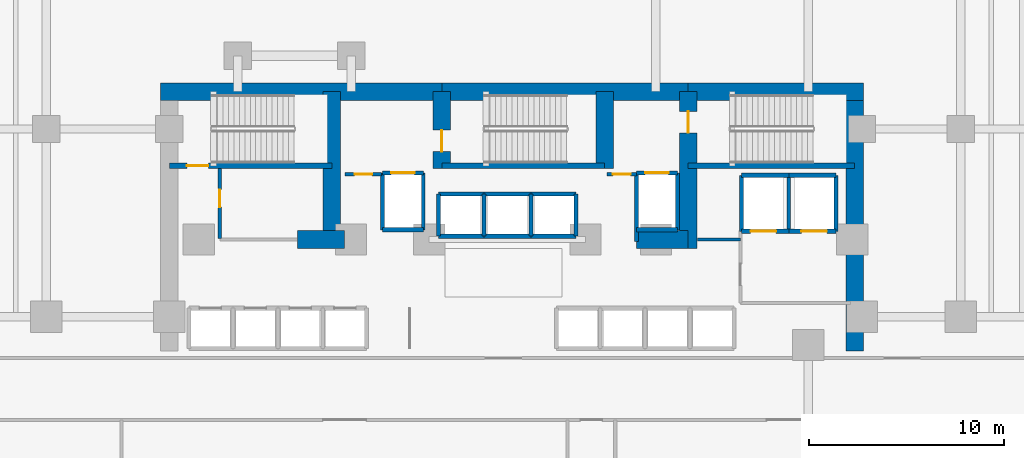
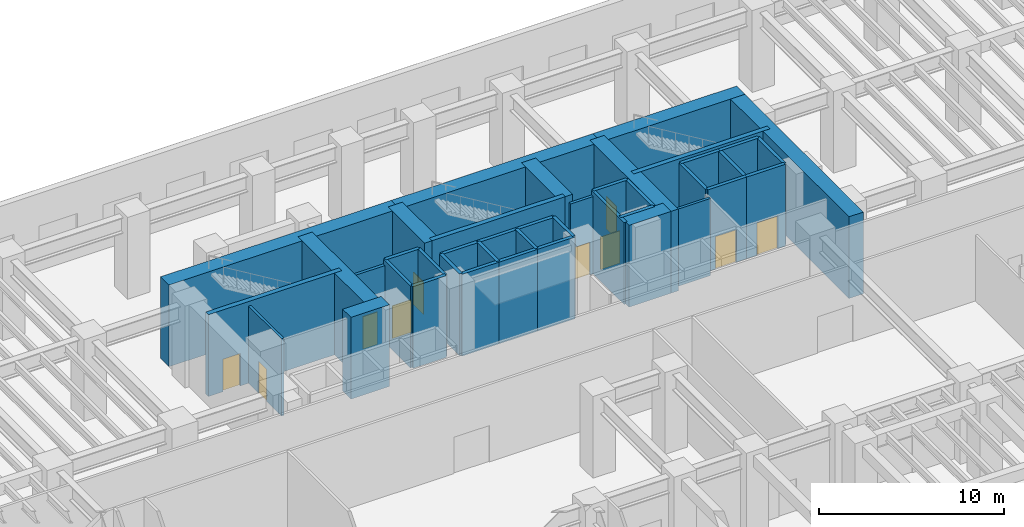
# One storey, part 14 of 21: 42 walls, 10 doors, 10 openings.
"""IFC4 building model written with IfcOpenShell, lengths in metres."""

from ifc_helpers import new_model, si_unit, direction, frame, frame_2d, origin, place, context, subcontext, project, spatial, rectangle, extrude, material, layer, layer_set, type_object, element, fill, save


model = new_model("IFC4")

# Units and contexts
model_context = context("Model", 3, precision=1e-05, world=origin(), true_north=direction((0.0, 1.0)))
body_context = subcontext(model_context, "Body", "Model", "MODEL_VIEW")
ifc_project = project(units=[si_unit("LENGTHUNIT", "METRE"), si_unit("AREAUNIT", "SQUARE_METRE"), si_unit("VOLUMEUNIT", "CUBIC_METRE"), si_unit("PLANEANGLEUNIT", "RADIAN"), si_unit("MASSUNIT", "GRAM", prefix="KILO")], contexts=[model_context])

# Site, building, storey
site_placement = place(None, origin())
site = spatial("IfcSite", under=ifc_project, at=site_placement, CompositionType="ELEMENT")
building_placement = place(site_placement, origin())
building = spatial("IfcBuilding", under=site, at=building_placement, Name="Kestravale Grand Hotel", CompositionType="ELEMENT")
storey_placement = place(building_placement, frame((0.0, 0.0, 10.39990234375)))
storey = spatial("IfcBuildingStorey", under=building, at=storey_placement, Name="L02", CompositionType="ELEMENT", Elevation=10.39990234375)

# Walls
ifc_material_1 = material(Name="Concrete f'c 70 MPa", Category="concrete")
ifc_layer_1 = layer(ifc_material_1, 0.89990234375)
ifc_layer_set_1 = layer_set([ifc_layer_1], Name="EW-CORE-900")
wall_type_1 = type_object("IfcWallType", Name="EW-CORE-900", PredefinedType="SHEAR", material=ifc_layer_set_1)
wall_1_placement = place(storey_placement, frame((21.449951171875, 40.320068359375, 0.0), z_axis=(0.0, 0.0, 1.0), x_axis=(1.0, 0.0, 0.0)))
element("IfcWall", 1, at=wall_1_placement, inside=storey, type_object=wall_type_1, Name="L02 core shear wall N1", PredefinedType="SHEAR", context=body_context, shape_type="SweptSolid", body=[
    extrude(rectangle(XDim=14.400146484375, YDim=0.89990234375, at=frame_2d((7.2001953125, 0.0))), origin(), (0.0, 0.0, 1.0), 5.400146484375),
])
wall_2_placement = place(storey_placement, frame((35.85009765625, 40.320068359375, 0.0), z_axis=(0.0, 0.0, 1.0), x_axis=(1.0, 0.0, 0.0)))
element("IfcWall", 2, at=wall_2_placement, inside=storey, type_object=wall_type_1, Name="L02 core shear wall N2", PredefinedType="SHEAR", context=body_context, shape_type="SweptSolid", body=[
    extrude(rectangle(XDim=12.599853515625, YDim=0.89990234375, at=frame_2d((6.2998046875, 0.0))), origin(), (0.0, 0.0, 1.0), 5.400146484375),
])
wall_3_placement = place(storey_placement, frame((48.449951171875, 40.320068359375, 0.0), z_axis=(0.0, 0.0, 1.0), x_axis=(1.0, 0.0, 0.0)))
element("IfcWall", 3, at=wall_3_placement, inside=storey, type_object=wall_type_1, Name="L02 core shear wall N3", PredefinedType="SHEAR", context=body_context, shape_type="SweptSolid", body=[
    extrude(rectangle(XDim=8.969970703125, YDim=0.89990234375, at=frame_2d((4.48486328125, 0.0))), origin(), (0.0, 0.0, 1.0), 5.400146484375),
])
wall_4_placement = place(storey_placement, frame((56.969970703125, 27.050048828125, 0.0), z_axis=(0.0, 0.0, 1.0), x_axis=(0.0, 1.0, 0.0)))
element("IfcWall", 4, at=wall_4_placement, inside=storey, type_object=wall_type_1, Name="L02 core shear wall E1", PredefinedType="SHEAR", context=body_context, shape_type="SweptSolid", body=[
    extrude(rectangle(XDim=13.719970703125, YDim=0.89990234375, at=frame_2d((6.85986328125, 0.0))), origin(), (0.0, 0.0, 1.0), 5.400146484375),
])
wall_5_placement = place(storey_placement, frame((28.449951171875, 32.75, 0.0), z_axis=(0.0, 0.0, 1.0), x_axis=(1.0, 0.0, 0.0)))
element("IfcWall", 5, at=wall_5_placement, inside=storey, type_object=wall_type_1, Name="L02 core shear wall S1", PredefinedType="SHEAR", context=body_context, shape_type="SweptSolid", body=[
    extrude(rectangle(XDim=2.400146484375, YDim=0.89990234375, at=frame_2d((1.2001953125, 0.0))), origin(), (0.0, 0.0, 1.0), 5.400146484375),
])
wall_6_placement = place(storey_placement, frame((45.81005859375, 32.75, 0.0), z_axis=(0.0, 0.0, 1.0), x_axis=(1.0, 0.0, 0.0)))
element("IfcWall", 6, at=wall_6_placement, inside=storey, type_object=wall_type_1, Name="L02 core shear wall S2", PredefinedType="SHEAR", context=body_context, shape_type="SweptSolid", body=[
    extrude(rectangle(XDim=2.639892578125, YDim=0.89990234375, at=frame_2d((1.31982421875, 0.0))), origin(), (0.0, 0.0, 1.0), 5.400146484375),
])
wall_7_placement = place(storey_placement, frame((30.219970703125, 33.199951171875, 0.0), z_axis=(0.0, 0.0, 1.0), x_axis=(0.0, 1.0, 0.0)))
element("IfcWall", 7, at=wall_7_placement, inside=storey, type_object=wall_type_1, Name="L02 core shear wall X1", PredefinedType="SHEAR", context=body_context, shape_type="SweptSolid", body=[
    extrude(rectangle(XDim=7.1201171875, YDim=0.89990234375, at=frame_2d((3.56005859375, 0.0))), origin(), (0.0, 0.0, 1.0), 5.400146484375),
])

# Wall, opening, door
wall_8_placement = place(storey_placement, frame((35.85009765625, 36.3701171875, 0.0), z_axis=(0.0, 0.0, 1.0), x_axis=(0.0, 1.0, 0.0)))
wall_8 = element("IfcWall", 8, at=wall_8_placement, inside=storey, type_object=wall_type_1, Name="L02 core shear wall X2", PredefinedType="SHEAR", context=body_context, shape_type="SweptSolid", body=[
    extrude(rectangle(XDim=3.949951171875, YDim=0.89990234375, at=frame_2d((1.97509765625, 0.0))), origin(), (0.0, 0.0, 1.0), 5.400146484375),
])
opening_1_placement = place(wall_8_placement, frame((0.8798828125, 0.0, 0.0)))
opening_1 = element("IfcOpeningElement", 9, at=opening_1_placement, cuts=wall_8, Name="Opening D-ST-1100", PredefinedType="OPENING", context=body_context, shape_type="SweptSolid", body=[
    extrude(rectangle(XDim=1.10009765625, YDim=2.14990234375, at=frame_2d((0.550048828125, 1.074951171875))), frame((0.0, 0.4599609375, 0.0), z_axis=(0.0, -1.0, 0.0), x_axis=(1.0, 0.0, 0.0)), (0.0, 0.0, 1.0), 0.919921875),
])
ifc_material_2 = material(Name="Galvanised 90-minute fire-rated steel stair door", Category="steel")
door_type_1 = type_object("IfcDoorType", Name="D-ST-1100", OperationType="NOTDEFINED", PredefinedType="DOOR", material=ifc_material_2)
door_1_placement = place(opening_1_placement, origin())
door_1 = element("IfcDoor", 10, at=door_1_placement, inside=storey, type_object=door_type_1, Name="L02 Stair ST-2 FSAE fire door", OperationType="SINGLE_SWING_RIGHT", OverallHeight=2.14990234375, OverallWidth=1.10009765625, PredefinedType="DOOR", context=body_context, shape_type="SweptSolid", body=[
    extrude(rectangle(XDim=1.10009765625, YDim=2.14990234375, at=frame_2d((0.550048828125, 1.074951171875))), frame((0.0, 0.02490234375, 0.0), z_axis=(0.0, -1.0, 0.0), x_axis=(1.0, 0.0, 0.0)), (0.0, 0.0, 1.0), 0.050048828125),
])
fill(opening_1, door_1)

# Wall
wall_9_placement = place(storey_placement, frame((44.179931640625, 36.3701171875, 0.0), z_axis=(0.0, 0.0, 1.0), x_axis=(0.0, 1.0, 0.0)))
element("IfcWall", 11, at=wall_9_placement, inside=storey, type_object=wall_type_1, Name="L02 core shear wall X3", PredefinedType="SHEAR", context=body_context, shape_type="SweptSolid", body=[
    extrude(rectangle(XDim=3.949951171875, YDim=0.89990234375, at=frame_2d((1.97509765625, 0.0))), origin(), (0.0, 0.0, 1.0), 5.400146484375),
])

# Wall, opening, door
wall_10_placement = place(storey_placement, frame((48.449951171875, 32.300048828125, 0.0), z_axis=(0.0, 0.0, 1.0), x_axis=(0.0, 1.0, 0.0)))
wall_10 = element("IfcWall", 12, at=wall_10_placement, inside=storey, type_object=wall_type_1, Name="L02 core shear wall X4", PredefinedType="SHEAR", context=body_context, shape_type="SweptSolid", body=[
    extrude(rectangle(XDim=8.02001953125, YDim=0.89990234375, at=frame_2d((4.010009765625, 0.0))), origin(), (0.0, 0.0, 1.0), 5.400146484375),
])
opening_2_placement = place(wall_10_placement, frame((5.89990234375, 0.0, 0.0)))
opening_2 = element("IfcOpeningElement", 13, at=opening_2_placement, cuts=wall_10, Name="Opening D-ST-1100", PredefinedType="OPENING", context=body_context, shape_type="SweptSolid", body=[
    extrude(rectangle(XDim=1.10009765625, YDim=2.14990234375, at=frame_2d((0.550048828125, 1.074951171875))), frame((0.0, 0.4599609375, 0.0), z_axis=(0.0, -1.0, 0.0), x_axis=(1.0, 0.0, 0.0)), (0.0, 0.0, 1.0), 0.919921875),
])
door_2_placement = place(opening_2_placement, origin())
door_2 = element("IfcDoor", 14, at=door_2_placement, inside=storey, type_object=door_type_1, Name="L02 Stair ST-3 FSAE fire door", OperationType="SINGLE_SWING_RIGHT", OverallHeight=2.14990234375, OverallWidth=1.10009765625, PredefinedType="DOOR", context=body_context, shape_type="SweptSolid", body=[
    extrude(rectangle(XDim=1.10009765625, YDim=2.14990234375, at=frame_2d((0.550048828125, 1.074951171875))), frame((0.0, 0.02490234375, 0.0), z_axis=(0.0, -1.0, 0.0), x_axis=(1.0, 0.0, 0.0)), (0.0, 0.0, 1.0), 0.050048828125),
])
fill(opening_2, door_2)

ifc_material_3 = material(Name="Concrete f'c 45 MPa", Category="concrete")
ifc_layer_2 = layer(ifc_material_3, 0.300048828125)
ifc_layer_set_2 = layer_set([ifc_layer_2], Name="EW-STAIR-300")
wall_type_2 = type_object("IfcWallType", Name="EW-STAIR-300", PredefinedType="SHEAR", material=ifc_layer_set_2)
wall_11_placement = place(storey_placement, frame((21.89990234375, 36.52001953125, 0.0), z_axis=(0.0, 0.0, 1.0), x_axis=(1.0, 0.0, 0.0)))
wall_11 = element("IfcWall", 15, at=wall_11_placement, inside=storey, type_object=wall_type_2, Name="L02 stair enclosure shear wall SST1", PredefinedType="SHEAR", context=body_context, shape_type="SweptSolid", body=[
    extrude(rectangle(XDim=8.320068359375, YDim=0.300048828125, at=frame_2d((4.16015625, 0.0))), origin(), (0.0, 0.0, 1.0), 5.400146484375),
])
opening_3_placement = place(wall_11_placement, frame((0.89990234375, 0.0, 0.0)))
opening_3 = element("IfcOpeningElement", 16, at=opening_3_placement, cuts=wall_11, Name="Opening D-ST-1100", PredefinedType="OPENING", context=body_context, shape_type="SweptSolid", body=[
    extrude(rectangle(XDim=1.10009765625, YDim=2.14990234375, at=frame_2d((0.550048828125, 1.074951171875))), frame((0.0, 0.159912109375, 0.0), z_axis=(0.0, -1.0, 0.0), x_axis=(1.0, 0.0, 0.0)), (0.0, 0.0, 1.0), 0.320068359375),
])
door_3_placement = place(opening_3_placement, origin())
door_3 = element("IfcDoor", 17, at=door_3_placement, inside=storey, type_object=door_type_1, Name="L02 Stair ST-1 fire door", OperationType="SINGLE_SWING_RIGHT", OverallHeight=2.14990234375, OverallWidth=1.10009765625, PredefinedType="DOOR", context=body_context, shape_type="SweptSolid", body=[
    extrude(rectangle(XDim=1.10009765625, YDim=2.14990234375, at=frame_2d((0.550048828125, 1.074951171875))), frame((0.0, 0.02490234375, 0.0), z_axis=(0.0, -1.0, 0.0), x_axis=(1.0, 0.0, 0.0)), (0.0, 0.0, 1.0), 0.050048828125),
])
fill(opening_3, door_3)

# Walls
wall_12_placement = place(storey_placement, frame((35.85009765625, 36.52001953125, 0.0), z_axis=(0.0, 0.0, 1.0), x_axis=(1.0, 0.0, 0.0)))
element("IfcWall", 18, at=wall_12_placement, inside=storey, type_object=wall_type_2, Name="L02 stair enclosure shear wall SST2", PredefinedType="SHEAR", context=body_context, shape_type="SweptSolid", body=[
    extrude(rectangle(XDim=8.329833984375, YDim=0.300048828125, at=frame_2d((4.1650390625, 0.0))), origin(), (0.0, 0.0, 1.0), 5.400146484375),
])
wall_13_placement = place(storey_placement, frame((48.449951171875, 36.52001953125, 0.0), z_axis=(0.0, 0.0, 1.0), x_axis=(1.0, 0.0, 0.0)))
element("IfcWall", 19, at=wall_13_placement, inside=storey, type_object=wall_type_2, Name="L02 stair enclosure shear wall SST3", PredefinedType="SHEAR", context=body_context, shape_type="SweptSolid", body=[
    extrude(rectangle(XDim=8.52001953125, YDim=0.300048828125, at=frame_2d((4.260009765625, 0.0))), origin(), (0.0, 0.0, 1.0), 5.400146484375),
])

# Wall, opening, door
ifc_material_4 = material(Name="Acoustic fire-rated gypsum board partition", Category="other")
ifc_layer_3 = layer(ifc_material_4, 0.159912109375)
ifc_layer_set_3 = layer_set([ifc_layer_3], Name="IW-CORR-160")
wall_type_3 = type_object("IfcWallType", Name="IW-CORR-160", PredefinedType="PARTITIONING", material=ifc_layer_set_3)
wall_14_placement = place(storey_placement, frame((24.47998046875, 32.800048828125, 0.0), z_axis=(0.0, 0.0, 1.0), x_axis=(0.0, 1.0, 0.0)))
wall_14 = element("IfcWall", 20, at=wall_14_placement, inside=storey, type_object=wall_type_3, Name="L02 west core vestibule wall", PredefinedType="PARTITIONING", context=body_context, shape_type="SweptSolid", body=[
    extrude(rectangle(XDim=3.570068359375, YDim=0.159912109375, at=frame_2d((1.78515625, 0.0))), origin(), (0.0, 0.0, 1.0), 5.10009765625),
])
opening_4_placement = place(wall_14_placement, frame((1.603515625, 0.0, 0.0)))
opening_4 = element("IfcOpeningElement", 21, at=opening_4_placement, cuts=wall_14, Name="Opening D-SH-900", PredefinedType="OPENING", context=body_context, shape_type="SweptSolid", body=[
    extrude(rectangle(XDim=0.89990234375, YDim=2.10009765625, at=frame_2d((0.449951171875, 1.050048828125))), frame((0.0, 0.08984375, 0.0), z_axis=(0.0, -1.0, 0.0), x_axis=(1.0, 0.0, 0.0)), (0.0, 0.0, 1.0), 0.179931640625),
])
ifc_material_5 = material(Name="Galvanised 90-minute shaft and service fire door", Category="steel")
door_type_2 = type_object("IfcDoorType", Name="D-SH-900", OperationType="NOTDEFINED", PredefinedType="DOOR", material=ifc_material_5)
door_4_placement = place(opening_4_placement, origin())
door_4 = element("IfcDoor", 22, at=door_4_placement, inside=storey, type_object=door_type_2, Name="D-L02-HK", OperationType="SINGLE_SWING_RIGHT", OverallHeight=2.10009765625, OverallWidth=0.89990234375, PredefinedType="DOOR", context=body_context, shape_type="SweptSolid", body=[
    extrude(rectangle(XDim=0.89990234375, YDim=2.10009765625, at=frame_2d((0.449951171875, 1.050048828125))), frame((0.0, 0.02490234375, 0.0), z_axis=(0.0, -1.0, 0.0), x_axis=(1.0, 0.0, 0.0)), (0.0, 0.0, 1.0), 0.050048828125),
])
fill(opening_4, door_4)

# Wall
wall_15_placement = place(storey_placement, frame((48.919921875, 32.75, 0.0), z_axis=(0.0, 0.0, 1.0), x_axis=(1.0, 0.0, 0.0)))
element("IfcWall", 23, at=wall_15_placement, inside=storey, type_object=wall_type_3, Name="W-L02-CES", PredefinedType="PARTITIONING", context=body_context, shape_type="SweptSolid", body=[
    extrude(rectangle(XDim=2.2001953125, YDim=0.159912109375, at=frame_2d((1.10009765625, 0.0))), origin(), (0.0, 0.0, 1.0), 5.10009765625),
])

# Wall, opening, door
ifc_material_6 = material(Name="Fire-rated gypsum board on steel studs with mineral wool", Category="steel")
ifc_layer_4 = layer(ifc_material_6, 0.179931640625)
ifc_layer_set_4 = layer_set([ifc_layer_4], Name="IW-FSAE-180")
wall_type_4 = type_object("IfcWallType", Name="IW-FSAE-180", PredefinedType="PARTITIONING", material=ifc_layer_set_4)
wall_16_placement = place(storey_placement, frame((30.89990234375, 36.080078125, 0.0), z_axis=(0.0, 0.0, 1.0), x_axis=(1.0, 0.0, 0.0)))
wall_16 = element("IfcWall", 24, at=wall_16_placement, inside=storey, type_object=wall_type_4, Name="L02 FSAE Lobby 1 smoke barrier", PredefinedType="PARTITIONING", context=body_context, shape_type="SweptSolid", body=[
    extrude(rectangle(XDim=1.85009765625, YDim=0.179931640625, at=frame_2d((0.925048828125, 0.0))), origin(), (0.0, 0.0, 1.0), 5.10009765625),
])
opening_5_placement = place(wall_16_placement, frame((0.47998046875, 0.0, 0.0)))
opening_5 = element("IfcOpeningElement", 25, at=opening_5_placement, cuts=wall_16, Name="Opening D-FSAE-1000", PredefinedType="OPENING", context=body_context, shape_type="SweptSolid", body=[
    extrude(rectangle(XDim=0.89990234375, YDim=2.14990234375, at=frame_2d((0.449951171875, 1.074951171875))), frame((0.0, 0.099853515625, 0.0), z_axis=(0.0, -1.0, 0.0), x_axis=(1.0, 0.0, 0.0)), (0.0, 0.0, 1.0), 0.199951171875),
])
ifc_material_7 = material(Name="Smoke-gasketed FSAE lobby fire door", Category="steel")
door_type_3 = type_object("IfcDoorType", Name="D-FSAE-1000", OperationType="NOTDEFINED", PredefinedType="DOOR", material=ifc_material_7)
door_5_placement = place(opening_5_placement, origin())
door_5 = element("IfcDoor", 26, at=door_5_placement, inside=storey, type_object=door_type_3, Name="L02 FSAE Lobby 1 fire door", OperationType="SINGLE_SWING_RIGHT", OverallHeight=2.14990234375, OverallWidth=0.89990234375, PredefinedType="DOOR", context=body_context, shape_type="SweptSolid", body=[
    extrude(rectangle(XDim=0.89990234375, YDim=2.14990234375, at=frame_2d((0.449951171875, 1.074951171875))), frame((0.0, 0.02490234375, 0.0), z_axis=(0.0, -1.0, 0.0), x_axis=(1.0, 0.0, 0.0)), (0.0, 0.0, 1.0), 0.050048828125),
])
fill(opening_5, door_5)

wall_17_placement = place(storey_placement, frame((44.300048828125, 36.080078125, 0.0), z_axis=(0.0, 0.0, 1.0), x_axis=(1.0, 0.0, 0.0)))
wall_17 = element("IfcWall", 27, at=wall_17_placement, inside=storey, type_object=wall_type_4, Name="L02 FSAE Lobby 2 smoke barrier", PredefinedType="PARTITIONING", context=body_context, shape_type="SweptSolid", body=[
    extrude(rectangle(XDim=1.5, YDim=0.179931640625, at=frame_2d((0.75, 0.0))), origin(), (0.0, 0.0, 1.0), 5.10009765625),
])
opening_6_placement = place(wall_17_placement, frame((0.300048828125, 0.0, 0.0)))
opening_6 = element("IfcOpeningElement", 28, at=opening_6_placement, cuts=wall_17, Name="Opening D-FSAE-1000", PredefinedType="OPENING", context=body_context, shape_type="SweptSolid", body=[
    extrude(rectangle(XDim=0.89990234375, YDim=2.14990234375, at=frame_2d((0.449951171875, 1.074951171875))), frame((0.0, 0.099853515625, 0.0), z_axis=(0.0, -1.0, 0.0), x_axis=(1.0, 0.0, 0.0)), (0.0, 0.0, 1.0), 0.199951171875),
])
door_6_placement = place(opening_6_placement, origin())
door_6 = element("IfcDoor", 29, at=door_6_placement, inside=storey, type_object=door_type_3, Name="L02 FSAE Lobby 2 fire door", OperationType="SINGLE_SWING_LEFT", OverallHeight=2.14990234375, OverallWidth=0.89990234375, PredefinedType="DOOR", context=body_context, shape_type="SweptSolid", body=[
    extrude(rectangle(XDim=0.89990234375, YDim=2.14990234375, at=frame_2d((0.449951171875, 1.074951171875))), frame((0.0, 0.02490234375, 0.0), z_axis=(0.0, -1.0, 0.0), x_axis=(1.0, 0.0, 0.0)), (0.0, 0.0, 1.0), 0.050048828125),
])
fill(opening_6, door_6)

# Walls
ifc_material_8 = material(Name="Concrete f'c 45 MPa", Category="concrete")
ifc_layer_5 = layer(ifc_material_8, 0.199951171875)
ifc_layer_set_5 = layer_set([ifc_layer_5], Name="IW-SHAFT-200")
wall_type_5 = type_object("IfcWallType", Name="IW-SHAFT-200", PredefinedType="SHEAR", material=ifc_layer_set_5)
for number, where, z_axis, x_axis, name in (
    (30, (35.679931640625, 32.919921875, 0.0), (0.0, 0.0, 1.0), (0.0, 1.0, 0.0), "L02 PL-X1 west shaft wall"),
    (31, (38.0, 32.919921875, 0.0), (0.0, 0.0, 1.0), (0.0, 1.0, 0.0), "L02 PL-X2 west shaft wall"),
    (32, (40.39990234375, 32.919921875, 0.0), (0.0, 0.0, 1.0), (0.0, 1.0, 0.0), "L02 PL-X3 west shaft wall"),
    (33, (42.719970703125, 32.919921875, 0.0), (0.0, 0.0, 1.0), (0.0, 1.0, 0.0), "L02 PL-X3 east shaft wall"),
):
    element("IfcWall", number, at=place(storey_placement, frame(where, z_axis=z_axis, x_axis=x_axis)), inside=storey, type_object=wall_type_5, Name=name, PredefinedType="SHEAR", context=body_context, shape_type="SweptSolid", body=[
        extrude(rectangle(XDim=2.16015625, YDim=0.199951171875, at=frame_2d((1.080078125, 0.0))), origin(), (0.0, 0.0, 1.0), 5.400146484375),
    ])
for number, where, z_axis, x_axis, name in (
    (34, (51.179931640625, 33.169921875, 0.0), (0.0, 0.0, 1.0), (0.0, 1.0, 0.0), "L02 SL-1 west shaft wall"),
    (35, (53.60009765625, 33.169921875, 0.0), (0.0, 0.0, 1.0), (0.0, 1.0, 0.0), "L02 SL-2 west shaft wall"),
    (36, (56.02001953125, 33.169921875, 0.0), (0.0, 0.0, 1.0), (0.0, 1.0, 0.0), "L02 SL-2 east shaft wall"),
):
    element("IfcWall", number, at=place(storey_placement, frame(where, z_axis=z_axis, x_axis=x_axis)), inside=storey, type_object=wall_type_5, Name=name, PredefinedType="SHEAR", context=body_context, shape_type="SweptSolid", body=[
        extrude(rectangle(XDim=2.860107421875, YDim=0.199951171875, at=frame_2d((1.43017578125, 0.0))), origin(), (0.0, 0.0, 1.0), 5.400146484375),
    ])
for number, where, z_axis, x_axis, name in (
    (37, (32.804931640625, 33.2451171875, 0.0), (0.0, 0.0, 1.0), (0.0, 1.0, 0.0), "L02 FL-1 west shaft wall"),
    (38, (34.89501953125, 33.2451171875, 0.0), (0.0, 0.0, 1.0), (0.0, 1.0, 0.0), "L02 FL-1 east shaft wall"),
):
    element("IfcWall", number, at=place(storey_placement, frame(where, z_axis=z_axis, x_axis=x_axis)), inside=storey, type_object=wall_type_5, Name=name, PredefinedType="SHEAR", context=body_context, shape_type="SweptSolid", body=[
        extrude(rectangle(XDim=2.909912109375, YDim=0.199951171875, at=frame_2d((1.455078125, 0.0))), origin(), (0.0, 0.0, 1.0), 5.400146484375),
    ])
wall_18_placement = place(storey_placement, frame((45.804931640625, 32.64990234375, 0.0), z_axis=(0.0, 0.0, 1.0), x_axis=(0.0, 1.0, 0.0)))
element("IfcWall", 39, at=wall_18_placement, inside=storey, type_object=wall_type_5, Name="L02 FL-2 west shaft wall", PredefinedType="SHEAR", context=body_context, shape_type="SweptSolid", body=[
    extrude(rectangle(XDim=3.505126953125, YDim=0.199951171875, at=frame_2d((1.75244140625, 0.0))), origin(), (0.0, 0.0, 1.0), 5.400146484375),
])
wall_19_placement = place(storey_placement, frame((47.89501953125, 33.2451171875, 0.0), z_axis=(0.0, 0.0, 1.0), x_axis=(0.0, 1.0, 0.0)))
element("IfcWall", 40, at=wall_19_placement, inside=storey, type_object=wall_type_5, Name="L02 FL-2 east shaft wall", PredefinedType="SHEAR", context=body_context, shape_type="SweptSolid", body=[
    extrude(rectangle(XDim=2.909912109375, YDim=0.199951171875, at=frame_2d((1.455078125, 0.0))), origin(), (0.0, 0.0, 1.0), 5.400146484375),
])
ifc_material_9 = material(Name="Concrete f'c 45 MPa", Category="concrete")
ifc_layer_6 = layer(ifc_material_9, 0.219970703125)
ifc_layer_set_6 = layer_set([ifc_layer_6], Name="IW-SHAFT-220")
wall_type_6 = type_object("IfcWallType", Name="IW-SHAFT-220", PredefinedType="SHEAR", material=ifc_layer_set_6)
for number, where, z_axis, x_axis, name in (
    (41, (35.679931640625, 35.080078125, 0.0), (0.0, 0.0, 1.0), (1.0, 0.0, 0.0), "L02 PL-X1 north shaft wall"),
    (42, (35.679931640625, 32.919921875, 0.0), (0.0, 0.0, 1.0), (1.0, 0.0, 0.0), "L02 PL-X1 south shaft wall"),
):
    element("IfcWall", number, at=place(storey_placement, frame(where, z_axis=z_axis, x_axis=x_axis)), inside=storey, type_object=wall_type_6, Name=name, PredefinedType="SHEAR", context=body_context, shape_type="SweptSolid", body=[
        extrude(rectangle(XDim=2.320068359375, YDim=0.219970703125, at=frame_2d((1.16015625, 0.0))), origin(), (0.0, 0.0, 1.0), 5.400146484375),
    ])
for number, where, z_axis, x_axis, name in (
    (43, (38.0, 35.080078125, 0.0), (0.0, 0.0, 1.0), (1.0, 0.0, 0.0), "L02 PL-X2 north shaft wall"),
    (44, (38.0, 32.919921875, 0.0), (0.0, 0.0, 1.0), (1.0, 0.0, 0.0), "L02 PL-X2 south shaft wall"),
):
    element("IfcWall", number, at=place(storey_placement, frame(where, z_axis=z_axis, x_axis=x_axis)), inside=storey, type_object=wall_type_6, Name=name, PredefinedType="SHEAR", context=body_context, shape_type="SweptSolid", body=[
        extrude(rectangle(XDim=2.39990234375, YDim=0.219970703125, at=frame_2d((1.199951171875, 0.0))), origin(), (0.0, 0.0, 1.0), 5.400146484375),
    ])
for number, where, z_axis, x_axis, name in (
    (45, (40.39990234375, 35.080078125, 0.0), (0.0, 0.0, 1.0), (1.0, 0.0, 0.0), "L02 PL-X3 north shaft wall"),
    (46, (40.39990234375, 32.919921875, 0.0), (0.0, 0.0, 1.0), (1.0, 0.0, 0.0), "L02 PL-X3 south shaft wall"),
):
    element("IfcWall", number, at=place(storey_placement, frame(where, z_axis=z_axis, x_axis=x_axis)), inside=storey, type_object=wall_type_6, Name=name, PredefinedType="SHEAR", context=body_context, shape_type="SweptSolid", body=[
        extrude(rectangle(XDim=2.320068359375, YDim=0.219970703125, at=frame_2d((1.16015625, 0.0))), origin(), (0.0, 0.0, 1.0), 5.400146484375),
    ])
wall_20_placement = place(storey_placement, frame((51.179931640625, 36.030029296875, 0.0), z_axis=(0.0, 0.0, 1.0), x_axis=(1.0, 0.0, 0.0)))
element("IfcWall", 47, at=wall_20_placement, inside=storey, type_object=wall_type_6, Name="L02 SL-1 north shaft wall", PredefinedType="SHEAR", context=body_context, shape_type="SweptSolid", body=[
    extrude(rectangle(XDim=2.420166015625, YDim=0.219970703125, at=frame_2d((1.2099609375, 0.0))), origin(), (0.0, 0.0, 1.0), 5.400146484375),
])

# Wall, opening, door
wall_21_placement = place(storey_placement, frame((51.179931640625, 33.169921875, 0.0), z_axis=(0.0, 0.0, 1.0), x_axis=(1.0, 0.0, 0.0)))
wall_21 = element("IfcWall", 48, at=wall_21_placement, inside=storey, type_object=wall_type_6, Name="L02 SL-1 south shaft wall", PredefinedType="SHEAR", context=body_context, shape_type="SweptSolid", body=[
    extrude(rectangle(XDim=2.420166015625, YDim=0.219970703125, at=frame_2d((1.2099609375, 0.0))), origin(), (0.0, 0.0, 1.0), 5.400146484375),
])
opening_7_placement = place(wall_21_placement, frame((0.469970703125, 0.0, 0.0)))
opening_7 = element("IfcOpeningElement", 49, at=opening_7_placement, cuts=wall_21, Name="Opening LD-SVC-1300", PredefinedType="OPENING", context=body_context, shape_type="SweptSolid", body=[
    extrude(rectangle(XDim=1.300048828125, YDim=2.14990234375, at=frame_2d((0.64990234375, 1.074951171875))), frame((0.0, 0.119873046875, 0.0), z_axis=(0.0, -1.0, 0.0), x_axis=(1.0, 0.0, 0.0)), (0.0, 0.0, 1.0), 0.239990234375),
])
ifc_material_10 = material(Name="Heavy-duty service sliding elevator landing door", Category="steel")
door_type_4 = type_object("IfcDoorType", Name="LD-SVC-1300", OperationType="NOTDEFINED", PredefinedType="DOOR", material=ifc_material_10)
door_7_placement = place(opening_7_placement, origin())
door_7 = element("IfcDoor", 50, at=door_7_placement, inside=storey, type_object=door_type_4, Name="L02 SL-1 elevator landing sliding door", OperationType="DOUBLE_DOOR_SLIDING", OverallHeight=2.14990234375, OverallWidth=1.300048828125, PredefinedType="DOOR", context=body_context, shape_type="SweptSolid", body=[
    extrude(rectangle(XDim=1.300048828125, YDim=2.14990234375, at=frame_2d((0.64990234375, 1.074951171875))), frame((0.0, 0.02490234375, 0.0), z_axis=(0.0, -1.0, 0.0), x_axis=(1.0, 0.0, 0.0)), (0.0, 0.0, 1.0), 0.050048828125),
])
fill(opening_7, door_7)

# Wall
wall_22_placement = place(storey_placement, frame((53.60009765625, 36.030029296875, 0.0), z_axis=(0.0, 0.0, 1.0), x_axis=(1.0, 0.0, 0.0)))
element("IfcWall", 51, at=wall_22_placement, inside=storey, type_object=wall_type_6, Name="L02 SL-2 north shaft wall", PredefinedType="SHEAR", context=body_context, shape_type="SweptSolid", body=[
    extrude(rectangle(XDim=2.419921875, YDim=0.219970703125, at=frame_2d((1.2099609375, 0.0))), origin(), (0.0, 0.0, 1.0), 5.400146484375),
])

# Wall, opening, door
wall_23_placement = place(storey_placement, frame((53.60009765625, 33.169921875, 0.0), z_axis=(0.0, 0.0, 1.0), x_axis=(1.0, 0.0, 0.0)))
wall_23 = element("IfcWall", 52, at=wall_23_placement, inside=storey, type_object=wall_type_6, Name="L02 SL-2 south shaft wall", PredefinedType="SHEAR", context=body_context, shape_type="SweptSolid", body=[
    extrude(rectangle(XDim=2.419921875, YDim=0.219970703125, at=frame_2d((1.2099609375, 0.0))), origin(), (0.0, 0.0, 1.0), 5.400146484375),
])
opening_8_placement = place(wall_23_placement, frame((0.64990234375, 0.0, 0.0)))
opening_8 = element("IfcOpeningElement", 53, at=opening_8_placement, cuts=wall_23, Name="Opening LD-SVC-1300", PredefinedType="OPENING", context=body_context, shape_type="SweptSolid", body=[
    extrude(rectangle(XDim=1.300048828125, YDim=2.14990234375, at=frame_2d((0.64990234375, 1.074951171875))), frame((0.0, 0.119873046875, 0.0), z_axis=(0.0, -1.0, 0.0), x_axis=(1.0, 0.0, 0.0)), (0.0, 0.0, 1.0), 0.239990234375),
])
door_8_placement = place(opening_8_placement, origin())
door_8 = element("IfcDoor", 54, at=door_8_placement, inside=storey, type_object=door_type_4, Name="L02 SL-2 elevator landing sliding door", OperationType="DOUBLE_DOOR_SLIDING", OverallHeight=2.14990234375, OverallWidth=1.300048828125, PredefinedType="DOOR", context=body_context, shape_type="SweptSolid", body=[
    extrude(rectangle(XDim=1.300048828125, YDim=2.14990234375, at=frame_2d((0.64990234375, 1.074951171875))), frame((0.0, 0.02490234375, 0.0), z_axis=(0.0, -1.0, 0.0), x_axis=(1.0, 0.0, 0.0)), (0.0, 0.0, 1.0), 0.050048828125),
])
fill(opening_8, door_8)

wall_24_placement = place(storey_placement, frame((32.804931640625, 36.155029296875, 0.0), z_axis=(0.0, 0.0, 1.0), x_axis=(1.0, 0.0, 0.0)))
wall_24 = element("IfcWall", 55, at=wall_24_placement, inside=storey, type_object=wall_type_6, Name="L02 FL-1 north shaft wall", PredefinedType="SHEAR", context=body_context, shape_type="SweptSolid", body=[
    extrude(rectangle(XDim=2.090087890625, YDim=0.219970703125, at=frame_2d((1.044921875, 0.0))), origin(), (0.0, 0.0, 1.0), 5.400146484375),
])
opening_9_placement = place(wall_24_placement, frame((0.445068359375, 0.0, 0.0)))
opening_9 = element("IfcOpeningElement", 56, at=opening_9_placement, cuts=wall_24, Name="Opening LD-FSAE-1200", PredefinedType="OPENING", context=body_context, shape_type="SweptSolid", body=[
    extrude(rectangle(XDim=1.199951171875, YDim=2.14990234375, at=frame_2d((0.60009765625, 1.074951171875))), frame((0.0, 0.119873046875, 0.0), z_axis=(0.0, -1.0, 0.0), x_axis=(1.0, 0.0, 0.0)), (0.0, 0.0, 1.0), 0.239990234375),
])
ifc_material_11 = material(Name="Stainless fire-service sliding elevator landing door", Category="steel")
door_type_5 = type_object("IfcDoorType", Name="LD-FSAE-1200", OperationType="NOTDEFINED", PredefinedType="DOOR", material=ifc_material_11)
door_9_placement = place(opening_9_placement, origin())
door_9 = element("IfcDoor", 57, at=door_9_placement, inside=storey, type_object=door_type_5, Name="L02 FL-1 elevator landing sliding door", OperationType="DOUBLE_DOOR_SLIDING", OverallHeight=2.14990234375, OverallWidth=1.199951171875, PredefinedType="DOOR", context=body_context, shape_type="SweptSolid", body=[
    extrude(rectangle(XDim=1.199951171875, YDim=2.14990234375, at=frame_2d((0.60009765625, 1.074951171875))), frame((0.0, 0.02490234375, 0.0), z_axis=(0.0, -1.0, 0.0), x_axis=(1.0, 0.0, 0.0)), (0.0, 0.0, 1.0), 0.050048828125),
])
fill(opening_9, door_9)

# Wall
wall_25_placement = place(storey_placement, frame((32.804931640625, 33.2451171875, 0.0), z_axis=(0.0, 0.0, 1.0), x_axis=(1.0, 0.0, 0.0)))
element("IfcWall", 58, at=wall_25_placement, inside=storey, type_object=wall_type_6, Name="L02 FL-1 south shaft wall", PredefinedType="SHEAR", context=body_context, shape_type="SweptSolid", body=[
    extrude(rectangle(XDim=2.090087890625, YDim=0.219970703125, at=frame_2d((1.044921875, 0.0))), origin(), (0.0, 0.0, 1.0), 5.400146484375),
])

# Wall, opening, door
wall_26_placement = place(storey_placement, frame((45.804931640625, 36.155029296875, 0.0), z_axis=(0.0, 0.0, 1.0), x_axis=(1.0, 0.0, 0.0)))
wall_26 = element("IfcWall", 59, at=wall_26_placement, inside=storey, type_object=wall_type_6, Name="L02 FL-2 north shaft wall", PredefinedType="SHEAR", context=body_context, shape_type="SweptSolid", body=[
    extrude(rectangle(XDim=2.090087890625, YDim=0.219970703125, at=frame_2d((1.044921875, 0.0))), origin(), (0.0, 0.0, 1.0), 5.400146484375),
])
opening_10_placement = place(wall_26_placement, frame((0.445068359375, 0.0, 0.0)))
opening_10 = element("IfcOpeningElement", 60, at=opening_10_placement, cuts=wall_26, Name="Opening LD-FSAE-1200", PredefinedType="OPENING", context=body_context, shape_type="SweptSolid", body=[
    extrude(rectangle(XDim=1.199951171875, YDim=2.14990234375, at=frame_2d((0.60009765625, 1.074951171875))), frame((0.0, 0.119873046875, 0.0), z_axis=(0.0, -1.0, 0.0), x_axis=(1.0, 0.0, 0.0)), (0.0, 0.0, 1.0), 0.239990234375),
])
door_10_placement = place(opening_10_placement, origin())
door_10 = element("IfcDoor", 61, at=door_10_placement, inside=storey, type_object=door_type_5, Name="L02 FL-2 elevator landing sliding door", OperationType="DOUBLE_DOOR_SLIDING", OverallHeight=2.14990234375, OverallWidth=1.199951171875, PredefinedType="DOOR", context=body_context, shape_type="SweptSolid", body=[
    extrude(rectangle(XDim=1.199951171875, YDim=2.14990234375, at=frame_2d((0.60009765625, 1.074951171875))), frame((0.0, 0.02490234375, 0.0), z_axis=(0.0, -1.0, 0.0), x_axis=(1.0, 0.0, 0.0)), (0.0, 0.0, 1.0), 0.050048828125),
])
fill(opening_10, door_10)

# Wall
wall_27_placement = place(storey_placement, frame((45.804931640625, 33.2451171875, 0.0), z_axis=(0.0, 0.0, 1.0), x_axis=(1.0, 0.0, 0.0)))
element("IfcWall", 62, at=wall_27_placement, inside=storey, type_object=wall_type_6, Name="L02 FL-2 south shaft wall", PredefinedType="SHEAR", context=body_context, shape_type="SweptSolid", body=[
    extrude(rectangle(XDim=2.090087890625, YDim=0.219970703125, at=frame_2d((1.044921875, 0.0))), origin(), (0.0, 0.0, 1.0), 5.400146484375),
])

save(model, "model.ifc")
